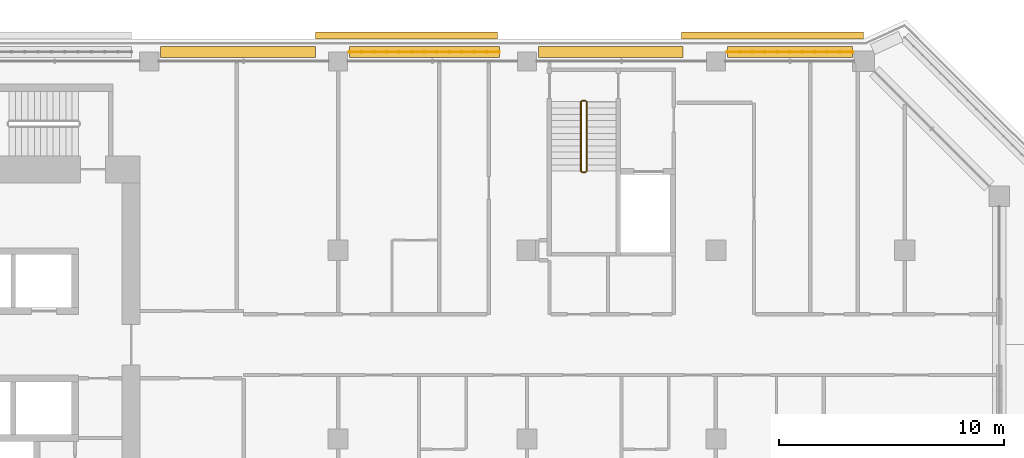
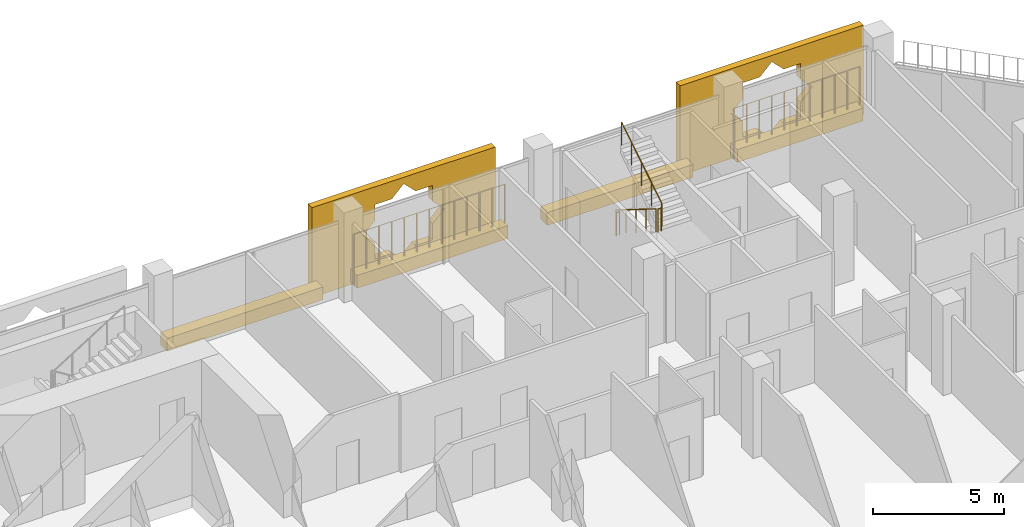
# One storey, part 20 of 21: 6 coverings, 6 railings.
"""IFC4 building model written with IfcOpenShell, lengths in metres."""

import ifcopenshell
import ifcopenshell.guid

model = None  # the IFC model being written
_history = None  # IfcOwnerHistory: only IFC2X3 demands one
_inside = {}  # id of a spatial element -> (the spatial element, [elements in it])
_under = {}  # id of a project, library or spatial element -> (it, [spatial elements below it])
_declared = {}  # id of a project -> (the project, [libraries it declares])
_typed = {}  # id of a type object -> (the type object, [elements of that type])
_made_of = {}  # id of a material, layer set ... -> (it, [elements and type objects made of it])


def new_model(schema):
    """Start an empty IFC model of exactly this schema.

    Asked for "IFC4X3", IfcOpenShell would pick the latest addendum, in which some entities
    have other attributes; the version numbers below select the first issue.
    IFC2X3 requires an IfcOwnerHistory on every rooted entity: one is made here for all.
    """
    global model, _history
    if schema == "IFC4X3":
        model = ifcopenshell.file(schema_version=(4, 3, 0, 0))
    else:
        model = ifcopenshell.file(schema=schema)
    _inside.clear()
    _under.clear()
    _declared.clear()
    _typed.clear()
    _made_of.clear()
    _history = None
    if model.schema == "IFC2X3":
        org = make("IfcOrganization", Name="unknown")
        user = make(
            "IfcPersonAndOrganization",
            ThePerson=make("IfcPerson", FamilyName="unknown"),
            TheOrganization=org,
        )
        app = make(
            "IfcApplication",
            ApplicationDeveloper=org,
            Version="unknown",
            ApplicationFullName="unknown",
            ApplicationIdentifier="unknown",
        )
        _history = make(
            "IfcOwnerHistory",
            OwningUser=user,
            OwningApplication=app,
            ChangeAction="ADDED",
            CreationDate=0,
        )
    return model


def make(cls, **values):
    """One entity of the class cls with the attributes given. An attribute that is None is left unset."""
    return model.create_entity(
        cls, **{name: value for name, value in values.items() if value is not None}
    )


def rooted(cls, **values):
    """An entity with a GlobalId (a new one), such as an element, a storey or a relation."""
    return make(cls, GlobalId=ifcopenshell.guid.new(), OwnerHistory=_history, **values)


def si_unit(unit_type, name, prefix=None):
    """IfcSIUnit, for example si_unit("LENGTHUNIT", "METRE", prefix="MILLI")."""
    return make("IfcSIUnit", UnitType=unit_type, Prefix=prefix, Name=name)


def assignment(units):
    """IfcUnitAssignment: the units of a project."""
    return None if units is None else make("IfcUnitAssignment", Units=units)


def point(xyz):
    """IfcCartesianPoint."""
    return None if xyz is None else make("IfcCartesianPoint", Coordinates=xyz)


def direction(xyz):
    """IfcDirection."""
    return None if xyz is None else make("IfcDirection", DirectionRatios=xyz)


def frame(location, z_axis=None, x_axis=None):
    """IfcAxis2Placement3D, a coordinate frame: its origin and axes. An axis left out is left unset."""
    return make(
        "IfcAxis2Placement3D",
        Location=point(location),
        Axis=direction(z_axis),
        RefDirection=direction(x_axis),
    )


def frame_2d(location, x_axis=None):
    """IfcAxis2Placement2D, a coordinate frame in the plane: its origin and x axis."""
    return make(
        "IfcAxis2Placement2D", Location=point(location), RefDirection=direction(x_axis)
    )


def origin():
    """The frame at (0, 0, 0) with its axes left unset."""
    return frame((0.0, 0.0, 0.0))


def origin_2d():
    """The frame at (0, 0) in the plane with its x axis left unset."""
    return frame_2d((0.0, 0.0))


def place(relative_to, where):
    """IfcLocalPlacement: puts the frame where relative to a parent placement (None: the world)."""
    return make(
        "IfcLocalPlacement", PlacementRelTo=relative_to, RelativePlacement=where
    )


def context(
    kind, dimensions, precision=None, world=None, true_north=None, identifier=None
):
    """IfcGeometricRepresentationContext, for example the 3D "Model" context."""
    return make(
        "IfcGeometricRepresentationContext",
        ContextIdentifier=identifier,
        ContextType=kind,
        CoordinateSpaceDimension=dimensions,
        Precision=precision,
        WorldCoordinateSystem=world,
        TrueNorth=true_north,
    )


def subcontext(parent, identifier, kind, view, scale=None):
    """IfcGeometricRepresentationSubContext, for example "Body" below "Model"."""
    return make(
        "IfcGeometricRepresentationSubContext",
        ContextIdentifier=identifier,
        ContextType=kind,
        ParentContext=parent,
        TargetScale=scale,
        TargetView=view,
    )


def project(units=None, contexts=None):
    """IfcProject with its units and contexts."""
    return rooted(
        "IfcProject",
        Name="project",
        RepresentationContexts=contexts,
        UnitsInContext=assignment(units),
    )


def spatial(cls, under=None, at=None, **own):
    """A site, building, storey or space (cls), placed at a placement, below another one or the project."""
    s = rooted(cls, ObjectPlacement=at, **own)
    if under is not None:
        _under.setdefault(under.id(), (under, []))[1].append(s)
    return s


def polyline(points):
    """IfcPolyline through the points."""
    return make("IfcPolyline", Points=[point(p) for p in points])


def profile(cls, at=None, kind="AREA", **sizes):
    """A parametric profile (cls). Its sizes go by their IFC names, for example OverallWidth=200.0."""
    return make(cls, ProfileType=kind, Position=at, **sizes)


def rectangle(**sizes):
    """IfcRectangleProfileDef."""
    return profile("IfcRectangleProfileDef", **sizes)


def circle(**sizes):
    """IfcCircleProfileDef."""
    return profile("IfcCircleProfileDef", **sizes)


def outline(outer, holes=None, kind="AREA"):
    """IfcArbitraryClosedProfileDef: a profile drawn as a closed curve; with holes, ...WithVoids."""
    if holes is None:
        return make("IfcArbitraryClosedProfileDef", ProfileType=kind, OuterCurve=outer)
    return make(
        "IfcArbitraryProfileDefWithVoids",
        ProfileType=kind,
        OuterCurve=outer,
        InnerCurves=holes,
    )


def extrude(swept, where, along, depth):
    """IfcExtrudedAreaSolid: the profile swept, set in the frame where, extruded along a direction by depth."""
    return make(
        "IfcExtrudedAreaSolid",
        SweptArea=swept,
        Position=where,
        ExtrudedDirection=direction(along),
        Depth=depth,
    )


def shape(context_of_items, identifier, shape_type, items):
    """IfcShapeRepresentation: the items that make up one representation, for example the "Body"."""
    return make(
        "IfcShapeRepresentation",
        ContextOfItems=context_of_items,
        RepresentationIdentifier=identifier,
        RepresentationType=shape_type,
        Items=items,
    )


def material(Name=None, Category=None):
    """IfcMaterial."""
    return make("IfcMaterial", Name=Name, Category=Category)


def material_profile(
    of_material, cross_section, Name=None, Category=None, Priority=None
):
    """IfcMaterialProfile: a cross section and its material."""
    return make(
        "IfcMaterialProfile",
        Name=Name,
        Material=of_material,
        Profile=cross_section,
        Priority=Priority,
        Category=Category,
    )


def profile_set(profiles, Name=None, composite=None):
    """IfcMaterialProfileSet."""
    return make(
        "IfcMaterialProfileSet",
        Name=Name,
        MaterialProfiles=profiles,
        CompositeProfile=composite,
    )


def made_of(thing, what):
    """Note that an element or type object is made of a material, layer set ...; save() writes the relation."""
    if what is not None:
        _made_of.setdefault(what.id(), (what, []))[1].append(thing)
    return thing


def type_object(cls, material=None, **own):
    """A type object (cls), such as IfcWallType, which elements share."""
    return made_of(rooted(cls, **own), material)


def element(
    cls,
    number,
    at=None,
    inside=None,
    cuts=None,
    type_object=None,
    material=None,
    context=None,
    identifier="Body",
    shape_type=None,
    held_by="IfcProductDefinitionShape",
    body=None,
    shapes=None,
    **own,
):
    """One element of the class cls, such as IfcWall. Its Tag is "e" and its number.

    at: its placement. inside: the storey or other place that contains it. cuts: it is an
    opening in that element (IfcRelVoidsElement). A single representation is given by context,
    identifier, shape_type and body (its items); several are given by shapes. held_by: the class
    of the entity that holds the representations. save() writes the other relations.
    """
    e = rooted(cls, Tag="e%d" % number, ObjectPlacement=at, **own)
    if body is not None:
        shapes = [shape(context, identifier, shape_type, body)]
    if shapes is not None:
        e.Representation = make(held_by, Representations=shapes)
    if inside is not None:
        _inside.setdefault(inside.id(), (inside, []))[1].append(e)
    if cuts is not None:
        rooted(
            "IfcRelVoidsElement", RelatingBuildingElement=cuts, RelatedOpeningElement=e
        )
    if type_object is not None:
        _typed.setdefault(type_object.id(), (type_object, []))[1].append(e)
    return made_of(e, material)


def aggregate(whole, parts):
    """IfcRelAggregates: a whole, such as a stair, and the parts it consists of."""
    return rooted("IfcRelAggregates", RelatingObject=whole, RelatedObjects=parts)


def save(model, path):
    """Write the relations noted so far, then the file.

    IfcRelAggregates (storeys below a building ...), IfcRelContainedInSpatialStructure (elements
    in a storey), IfcRelDefinesByType, IfcRelAssociatesMaterial and IfcRelDeclares: one each for
    every whole, place, type object, material and project.
    """
    for whole, parts in _under.values():
        aggregate(whole, parts)
    for where, things in _inside.values():
        rooted(
            "IfcRelContainedInSpatialStructure",
            RelatedElements=things,
            RelatingStructure=where,
        )
    for kind, things in _typed.values():
        rooted("IfcRelDefinesByType", RelatedObjects=things, RelatingType=kind)
    for what, things in _made_of.values():
        rooted("IfcRelAssociatesMaterial", RelatedObjects=things, RelatingMaterial=what)
    for by, libraries in _declared.values():
        rooted("IfcRelDeclares", RelatingContext=by, RelatedDefinitions=libraries)
    model.write(path)


model = new_model("IFC4")

# Units and contexts
model_context = context("Model", 3, precision=1e-05, world=origin(), true_north=direction((0.0, 1.0)))
body_context = subcontext(model_context, "Body", "Model", "MODEL_VIEW")
ifc_project = project(units=[si_unit("LENGTHUNIT", "METRE"), si_unit("AREAUNIT", "SQUARE_METRE"), si_unit("VOLUMEUNIT", "CUBIC_METRE"), si_unit("PLANEANGLEUNIT", "RADIAN"), si_unit("MASSUNIT", "GRAM", prefix="KILO")], contexts=[model_context])

# Site, building, storey
site_placement = place(None, origin())
site = spatial("IfcSite", under=ifc_project, at=site_placement, CompositionType="ELEMENT")
building_placement = place(site_placement, origin())
building = spatial("IfcBuilding", under=site, at=building_placement, Name="Kawkab Arch Medical Tower", CompositionType="ELEMENT")
storey_placement = place(building_placement, frame((0.0, 0.0, 264.199951171875)))
storey = spatial("IfcBuildingStorey", under=building, at=storey_placement, Name="L61", CompositionType="ELEMENT", Elevation=264.199951171875)

# Coverings
ifc_material_1 = material(Name="Bronze anodised aluminium mashrabiya panel, eight-point star pattern", Category="aluminium")
ifc_material_profile_1 = material_profile(ifc_material_1, outline(polyline([(-4.050048828125, -2.10009765625), (4.050048828125, -2.10009765625), (4.050048828125, 2.10009765625), (-4.050048828125, 2.10009765625), (-4.050048828125, -2.10009765625)]), holes=[polyline([(1.800048828125, 0.0), (1.272705078125, 0.527099609375), (1.272705078125, 1.272705078125), (0.527099609375, 1.272705078125), (0.0, 1.800048828125), (-0.527099609375, 1.272705078125), (-1.272705078125, 1.272705078125), (-1.272705078125, 0.527099609375), (-1.800048828125, 0.0), (-1.272705078125, -0.527099609375), (-1.272705078125, -1.272705078125), (-0.527099609375, -1.272705078125), (0.0, -1.800048828125), (0.527099609375, -1.272705078125), (1.272705078125, -1.272705078125), (1.272705078125, -0.527099609375), (1.800048828125, 0.0)])]), Name="Mashrabiya panel 8100x4200")
ifc_profile_set_1 = profile_set([ifc_material_profile_1], Name="Bronze anodised aluminium mashrabiya panel, eight-point star pattern")
covering_type_1 = type_object("IfcCoveringType", Name="Mashrabiya panel 8100 x 4200", PredefinedType="USERDEFINED", material=ifc_profile_set_1)
for number, where, z_axis, x_axis, name in (
    (1, (36.6435546875, 1.0, 1.699951171875), (0.0, 1.0, 0.0), (-1.0, 0.0, 0.0), "Mashrabiya panel L61.LOG-01-01.7"),
    (2, (52.910400390625, 1.0, 1.699951171875), (0.0, 1.0, 0.0), (-1.0, 0.0, 0.0), "Mashrabiya panel L61.LOG-01-01.8"),
):
    element("IfcCovering", number, at=place(storey_placement, frame(where, z_axis=z_axis, x_axis=x_axis)), inside=storey, type_object=covering_type_1, Name=name, ObjectType="SCREEN", PredefinedType="USERDEFINED", context=body_context, shape_type="SweptSolid", body=[
        extrude(outline(polyline([(-4.050048828125, -2.10009765625), (4.050048828125, -2.10009765625), (4.050048828125, 2.10009765625), (-4.050048828125, 2.10009765625), (-4.050048828125, -2.10009765625)]), holes=[polyline([(1.800048828125, 0.0), (1.272705078125, 0.527099609375), (1.272705078125, 1.272705078125), (0.527099609375, 1.272705078125), (0.0, 1.800048828125), (-0.527099609375, 1.272705078125), (-1.272705078125, 1.272705078125), (-1.272705078125, 0.527099609375), (-1.800048828125, 0.0), (-1.272705078125, -0.527099609375), (-1.272705078125, -1.272705078125), (-0.527099609375, -1.272705078125), (0.0, -1.800048828125), (0.527099609375, -1.272705078125), (1.272705078125, -1.272705078125), (1.272705078125, -0.527099609375), (1.800048828125, 0.0)])]), origin(), (0.0, 0.0, 1.0), 0.300048828125),
    ])
ifc_material_2 = material(Name="Planting soil in a precast trough", Category="concrete")
ifc_material_profile_2 = material_profile(ifc_material_2, rectangle(XDim=0.5, YDim=0.60009765625, at=origin_2d()), Name="Trough 500x600")
ifc_profile_set_2 = profile_set([ifc_material_profile_2], Name="Planting soil in a precast trough")
covering_type_2 = type_object("IfcCoveringType", Name="Planter trough 500 x 600", PredefinedType="USERDEFINED", material=ifc_profile_set_2)
covering_1_placement = place(storey_placement, frame((25.705078125, 0.419921875, 0.300048828125), z_axis=(1.0, 0.0, 0.0), x_axis=(0.0, 1.0, 0.0)))
element("IfcCovering", 3, at=covering_1_placement, inside=storey, type_object=covering_type_2, Name="Planter L61.LOG-01-01.20", ObjectType="PLANTER", PredefinedType="USERDEFINED", context=body_context, shape_type="SweptSolid", body=[
    extrude(rectangle(XDim=0.5, YDim=0.60009765625, at=origin_2d()), origin(), (0.0, 0.0, 1.0), 6.884033203125),
])
covering_2_placement = place(storey_placement, frame((34.10498046875, 0.419921875, 0.300048828125), z_axis=(1.0, 0.0, 0.0), x_axis=(0.0, 1.0, 0.0)))
element("IfcCovering", 4, at=covering_2_placement, inside=storey, type_object=covering_type_2, Name="Planter L61.LOG-01-01.21", ObjectType="PLANTER", PredefinedType="USERDEFINED", context=body_context, shape_type="SweptSolid", body=[
    extrude(rectangle(XDim=0.5, YDim=0.60009765625, at=origin_2d()), origin(), (0.0, 0.0, 1.0), 6.6630859375),
])
covering_3_placement = place(storey_placement, frame((42.5048828125, 0.419921875, 0.300048828125), z_axis=(1.0, 0.0, 0.0), x_axis=(0.0, 1.0, 0.0)))
element("IfcCovering", 5, at=covering_3_placement, inside=storey, type_object=covering_type_2, Name="Planter L61.LOG-01-01.22", ObjectType="PLANTER", PredefinedType="USERDEFINED", context=body_context, shape_type="SweptSolid", body=[
    extrude(rectangle(XDim=0.5, YDim=0.60009765625, at=origin_2d()), origin(), (0.0, 0.0, 1.0), 6.442138671875),
])
covering_4_placement = place(storey_placement, frame((50.905029296875, 0.419921875, 0.300048828125), z_axis=(1.0, 0.0, 0.0), x_axis=(0.0, 1.0, 0.0)))
element("IfcCovering", 6, at=covering_4_placement, inside=storey, type_object=covering_type_2, Name="Planter L61.LOG-01-01.23", ObjectType="PLANTER", PredefinedType="USERDEFINED", context=body_context, shape_type="SweptSolid", body=[
    extrude(rectangle(XDim=0.5, YDim=0.60009765625, at=origin_2d()), origin(), (0.0, 0.0, 1.0), 5.56494140625),
])

# Railings
ifc_material_3 = material(Name="Bronze anodised aluminium trellis for climbing plants", Category="aluminium")
railing_type_1 = type_object("IfcRailingType", Name="Planting trellis 2400", PredefinedType="USERDEFINED", material=ifc_material_3)
railing_1_placement = place(storey_placement, frame((34.10498046875, 0.419921875, 0.0)))
element("IfcRailing", 7, at=railing_1_placement, inside=storey, type_object=railing_type_1, Name="Planting trellis L61.LOG-01-01.21", ObjectType="TRELLIS", PredefinedType="USERDEFINED", context=body_context, shape_type="SweptSolid", body=[
    extrude(circle(Radius=0.01513671875, at=origin_2d()), frame((0.0, 0.0, 2.384765625), z_axis=(1.0, 0.0, 0.0), x_axis=(0.0, 1.0, 0.0)), (0.0, 0.0, 1.0), 6.6630859375),
    extrude(circle(Radius=0.030029296875, at=origin_2d()), origin(), (0.0, 0.0, 1.0), 2.369873046875),
    extrude(circle(Radius=0.030029296875, at=origin_2d()), frame((0.55517578125, 0.0, 0.0)), (0.0, 0.0, 1.0), 2.369873046875),
    extrude(circle(Radius=0.030029296875, at=origin_2d()), frame((1.110595703125, 0.0, 0.0)), (0.0, 0.0, 1.0), 2.369873046875),
    extrude(circle(Radius=0.030029296875, at=origin_2d()), frame((1.665771484375, 0.0, 0.0)), (0.0, 0.0, 1.0), 2.369873046875),
    extrude(circle(Radius=0.030029296875, at=origin_2d()), frame((2.220947265625, 0.0, 0.0)), (0.0, 0.0, 1.0), 2.369873046875),
    extrude(circle(Radius=0.030029296875, at=origin_2d()), frame((2.7763671875, 0.0, 0.0)), (0.0, 0.0, 1.0), 2.369873046875),
    extrude(circle(Radius=0.030029296875, at=origin_2d()), frame((3.33154296875, 0.0, 0.0)), (0.0, 0.0, 1.0), 2.369873046875),
    extrude(circle(Radius=0.030029296875, at=origin_2d()), frame((3.88671875, 0.0, 0.0)), (0.0, 0.0, 1.0), 2.369873046875),
    extrude(circle(Radius=0.030029296875, at=origin_2d()), frame((4.442138671875, 0.0, 0.0)), (0.0, 0.0, 1.0), 2.369873046875),
    extrude(circle(Radius=0.030029296875, at=origin_2d()), frame((4.997314453125, 0.0, 0.0)), (0.0, 0.0, 1.0), 2.369873046875),
    extrude(circle(Radius=0.030029296875, at=origin_2d()), frame((5.552490234375, 0.0, 0.0)), (0.0, 0.0, 1.0), 2.369873046875),
    extrude(circle(Radius=0.030029296875, at=origin_2d()), frame((6.10791015625, 0.0, 0.0)), (0.0, 0.0, 1.0), 2.369873046875),
    extrude(circle(Radius=0.030029296875, at=origin_2d()), frame((6.6630859375, 0.0, 0.0)), (0.0, 0.0, 1.0), 2.369873046875),
])
railing_2_placement = place(storey_placement, frame((50.905029296875, 0.419921875, 0.0)))
element("IfcRailing", 8, at=railing_2_placement, inside=storey, type_object=railing_type_1, Name="Planting trellis L61.LOG-01-01.23", ObjectType="TRELLIS", PredefinedType="USERDEFINED", context=body_context, shape_type="SweptSolid", body=[
    extrude(circle(Radius=0.01513671875, at=origin_2d()), frame((0.0, 0.0, 2.384765625), z_axis=(1.0, 0.0, 0.0), x_axis=(0.0, 1.0, 0.0)), (0.0, 0.0, 1.0), 5.56494140625),
    extrude(circle(Radius=0.030029296875, at=origin_2d()), origin(), (0.0, 0.0, 1.0), 2.369873046875),
    extrude(circle(Radius=0.030029296875, at=origin_2d()), frame((0.556396484375, 0.0, 0.0)), (0.0, 0.0, 1.0), 2.369873046875),
    extrude(circle(Radius=0.030029296875, at=origin_2d()), frame((1.113037109375, 0.0, 0.0)), (0.0, 0.0, 1.0), 2.369873046875),
    extrude(circle(Radius=0.030029296875, at=origin_2d()), frame((1.66943359375, 0.0, 0.0)), (0.0, 0.0, 1.0), 2.369873046875),
    extrude(circle(Radius=0.030029296875, at=origin_2d()), frame((2.22607421875, 0.0, 0.0)), (0.0, 0.0, 1.0), 2.369873046875),
    extrude(circle(Radius=0.030029296875, at=origin_2d()), frame((2.782470703125, 0.0, 0.0)), (0.0, 0.0, 1.0), 2.369873046875),
    extrude(circle(Radius=0.030029296875, at=origin_2d()), frame((3.3388671875, 0.0, 0.0)), (0.0, 0.0, 1.0), 2.369873046875),
    extrude(circle(Radius=0.030029296875, at=origin_2d()), frame((3.8955078125, 0.0, 0.0)), (0.0, 0.0, 1.0), 2.369873046875),
    extrude(circle(Radius=0.030029296875, at=origin_2d()), frame((4.451904296875, 0.0, 0.0)), (0.0, 0.0, 1.0), 2.369873046875),
    extrude(circle(Radius=0.030029296875, at=origin_2d()), frame((5.008544921875, 0.0, 0.0)), (0.0, 0.0, 1.0), 2.369873046875),
    extrude(circle(Radius=0.030029296875, at=origin_2d()), frame((5.56494140625, 0.0, 0.0)), (0.0, 0.0, 1.0), 2.369873046875),
])
ifc_material_4 = material(Name="Stainless steel", Category="steel")
railing_type_2 = type_object("IfcRailingType", Name="Stair guard 1100", PredefinedType="GUARDRAIL", material=ifc_material_4)
railing_3_placement = place(storey_placement, frame((44.39990234375, -1.800048828125, 0.175048828125)))
element("IfcRailing", 9, at=railing_3_placement, inside=storey, type_object=railing_type_2, Name="L61 ST5 stair guard 1", PredefinedType="GUARDRAIL", context=body_context, shape_type="SweptSolid", body=[
    extrude(circle(Radius=0.02392578125, at=origin_2d()), frame((0.0, 0.0, 1.076171875), z_axis=(0.0, -0.847979421464, 0.530029150871), x_axis=(1.0, 0.0, 0.0)), (0.0, 0.0, 1.0), 3.632080078125),
    extrude(circle(Radius=0.02099609375, at=origin_2d()), origin(), (0.0, 0.0, 1.0), 1.052001953125),
    extrude(circle(Radius=0.02099609375, at=origin_2d()), frame((0.0, -0.77001953125, 0.481201171875)), (0.0, 0.0, 1.0), 1.052001953125),
    extrude(circle(Radius=0.02099609375, at=origin_2d()), frame((0.0, -1.5400390625, 0.96240234375)), (0.0, 0.0, 1.0), 1.052001953125),
    extrude(circle(Radius=0.02099609375, at=origin_2d()), frame((0.0, -2.309814453125, 1.44384765625)), (0.0, 0.0, 1.0), 1.052001953125),
    extrude(circle(Radius=0.02099609375, at=origin_2d()), frame((0.0, -3.079833984375, 1.925048828125)), (0.0, 0.0, 1.0), 1.052001953125),
])
railing_4_placement = place(storey_placement, frame((44.449951171875, -4.929931640625, 2.10009765625)))
element("IfcRailing", 10, at=railing_4_placement, inside=storey, type_object=railing_type_2, Name="L61 ST5 stair guard 2", PredefinedType="GUARDRAIL", context=body_context, shape_type="SweptSolid", body=[
    extrude(circle(Radius=0.02392578125, at=origin_2d()), frame((0.0, 0.0, 1.076171875), z_axis=(1.0, 0.0, 0.0), x_axis=(0.0, 1.0, 0.0)), (0.0, 0.0, 1.0), 0.150146484375),
    extrude(circle(Radius=0.02099609375, at=origin_2d()), origin(), (0.0, 0.0, 1.0), 1.052001953125),
    extrude(circle(Radius=0.02099609375, at=origin_2d()), frame((0.150146484375, 0.0, 0.0)), (0.0, 0.0, 1.0), 1.052001953125),
])
railing_5_placement = place(storey_placement, frame((44.64990234375, -4.8798828125, 2.275146484375)))
element("IfcRailing", 11, at=railing_5_placement, inside=storey, type_object=railing_type_2, Name="L61 ST5 stair guard 3", PredefinedType="GUARDRAIL", context=body_context, shape_type="SweptSolid", body=[
    extrude(circle(Radius=0.02392578125, at=origin_2d()), frame((0.0, 0.0, 1.076171875), z_axis=(0.0, 0.848009633417, 0.529980812513), x_axis=(-1.0, 0.0, 0.0)), (0.0, 0.0, 1.0), 3.6318359375),
    extrude(circle(Radius=0.02099609375, at=origin_2d()), origin(), (0.0, 0.0, 1.0), 1.052001953125),
    extrude(circle(Radius=0.02099609375, at=origin_2d()), frame((0.0, 0.77001953125, 0.481201171875)), (0.0, 0.0, 1.0), 1.052001953125),
    extrude(circle(Radius=0.02099609375, at=origin_2d()), frame((0.0, 1.5400390625, 0.96240234375)), (0.0, 0.0, 1.0), 1.052001953125),
    extrude(circle(Radius=0.02099609375, at=origin_2d()), frame((0.0, 2.309814453125, 1.443603515625)), (0.0, 0.0, 1.0), 1.052001953125),
    extrude(circle(Radius=0.02099609375, at=origin_2d()), frame((0.0, 3.079833984375, 1.9248046875)), (0.0, 0.0, 1.0), 1.052001953125),
])
railing_6_placement = place(storey_placement, frame((44.449951171875, -1.75, 0.0)))
element("IfcRailing", 12, at=railing_6_placement, inside=storey, type_object=railing_type_2, Name="L61 ST5 stair guard 4", PredefinedType="GUARDRAIL", context=body_context, shape_type="SweptSolid", body=[
    extrude(circle(Radius=0.02392578125, at=origin_2d()), frame((0.0, 0.0, 1.076171875), z_axis=(1.0, 0.0, 0.0), x_axis=(0.0, 1.0, 0.0)), (0.0, 0.0, 1.0), 0.150146484375),
    extrude(circle(Radius=0.02099609375, at=origin_2d()), origin(), (0.0, 0.0, 1.0), 1.052001953125),
    extrude(circle(Radius=0.02099609375, at=origin_2d()), frame((0.150146484375, 0.0, 0.0)), (0.0, 0.0, 1.0), 1.052001953125),
])

save(model, "model.ifc")
